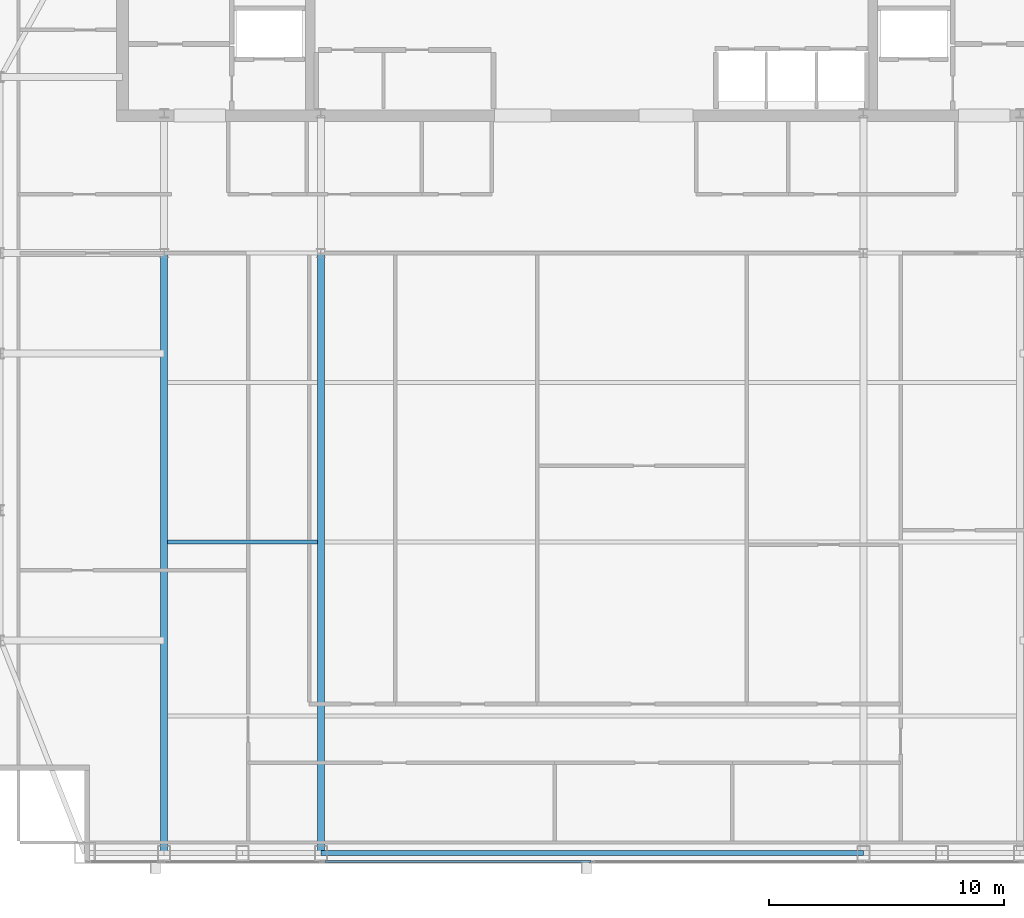
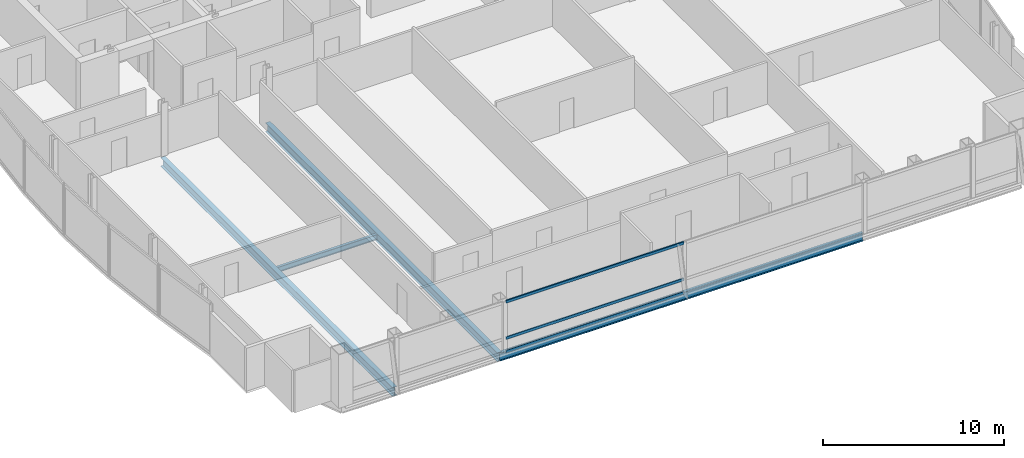
# One storey, part 6 of 26: 4 beams, 3 members, 1 element without a shape of its own.
"""IFC4 building model written with IfcOpenShell, lengths in metres."""

from ifc_helpers import new_model, si_unit, direction, frame, origin, origin_2d, place, context, subcontext, project, spatial, hollow_rectangle, i_section, extrude, material, material_profile, profile_set, type_object, element, aggregate, save


model = new_model("IFC4")

# Units and contexts
model_context = context("Model", 3, precision=1e-05, world=origin(), true_north=direction((0.0, 1.0)))
body_context = subcontext(model_context, "Body", "Model", "MODEL_VIEW")
ifc_project = project(units=[si_unit("LENGTHUNIT", "METRE"), si_unit("AREAUNIT", "SQUARE_METRE"), si_unit("VOLUMEUNIT", "CUBIC_METRE"), si_unit("PLANEANGLEUNIT", "RADIAN"), si_unit("MASSUNIT", "GRAM", prefix="KILO")], contexts=[model_context])

# Site, building, storey
site_placement = place(None, origin())
site = spatial("IfcSite", under=ifc_project, at=site_placement, CompositionType="ELEMENT")
building_placement = place(site_placement, origin())
building = spatial("IfcBuilding", under=site, at=building_placement, Name="Khoronbel Lancet Exchange", CompositionType="ELEMENT")
storey_placement = place(building_placement, frame((0.0, 0.0, 339.800048828125)))
storey = spatial("IfcBuildingStorey", under=building, at=storey_placement, Name="L88", CompositionType="ELEMENT", Elevation=339.800048828125)

# Beams
ifc_material_1 = material(Name="Steel S355", Category="steel")
ifc_material_profile_1 = material_profile(ifc_material_1, i_section(OverallWidth=0.300048828125, OverallDepth=0.60009765625, WebThickness=0.015380859375, FlangeThickness=0.030029296875, at=origin_2d()), Name="HEB 600")
ifc_profile_set_1 = profile_set([ifc_material_profile_1], Name="Steel S355")
beam_type_1 = type_object("IfcBeamType", Name="BM-BG5", PredefinedType="BEAM", material=ifc_profile_set_1)
for number, where, z_axis, x_axis, name in (
    (1, (18.22509765625, 10.14990234375, -0.4599609375), (0.0, 1.0, 0.0), (-1.0, 0.0, 0.0), "Level L88 south primary girder GS1"),
    (2, (24.89990234375, 10.14990234375, -0.4599609375), (0.0, 1.0, 0.0), (-1.0, 0.0, 0.0), "Level L88 south primary girder GS2"),
):
    element("IfcBeam", number, at=place(storey_placement, frame(where, z_axis=z_axis, x_axis=x_axis)), inside=storey, type_object=beam_type_1, Name=name, PredefinedType="BEAM", context=body_context, shape_type="SweptSolid", body=[
        extrude(i_section(OverallWidth=0.300048828125, OverallDepth=0.60009765625, WebThickness=0.015380859375, FlangeThickness=0.030029296875, at=origin_2d()), origin(), (0.0, 0.0, 1.0), 25.550048828125),
    ])
ifc_material_profile_2 = material_profile(ifc_material_1, i_section(OverallWidth=0.169921875, OverallDepth=0.360107421875, WebThickness=0.008056640625, FlangeThickness=0.0126953125, at=origin_2d()), Name="IPE 360")
ifc_profile_set_2 = profile_set([ifc_material_profile_2], Name="Steel S355")
beam_type_2 = type_object("IfcBeamType", Name="BM-BJ6", PredefinedType="JOIST", material=ifc_profile_set_2)
beam_1_placement = place(storey_placement, frame((18.375, 23.39990234375, -0.340087890625), z_axis=(1.0, 0.0, 0.0), x_axis=(0.0, 1.0, 0.0)))
element("IfcBeam", 3, at=beam_1_placement, inside=storey, type_object=beam_type_2, Name="Level L88 secondary composite joist J04", PredefinedType="JOIST", context=body_context, shape_type="SweptSolid", body=[
    extrude(i_section(OverallWidth=0.169921875, OverallDepth=0.360107421875, WebThickness=0.008056640625, FlangeThickness=0.0126953125, at=origin_2d()), origin(), (0.0, 0.0, 1.0), 6.375),
])
ifc_material_profile_3 = material_profile(ifc_material_1, i_section(OverallWidth=0.2099609375, OverallDepth=0.550048828125, WebThickness=0.010986328125, FlangeThickness=0.01708984375, at=origin_2d()), Name="IPE 550")
ifc_profile_set_3 = profile_set([ifc_material_profile_3], Name="Steel S355")
beam_type_3 = type_object("IfcBeamType", Name="BM-BSP3", PredefinedType="SPANDREL", material=ifc_profile_set_3)
beam_2_placement = place(storey_placement, frame((24.89990234375, 10.14990234375, -0.43505859375), z_axis=(1.0, 0.0, 0.0), x_axis=(0.0, 1.0, 0.0)))
element("IfcBeam", 4, at=beam_2_placement, inside=storey, type_object=beam_type_3, Name="Level L88 perimeter spandrel beam SP04", PredefinedType="SPANDREL", context=body_context, shape_type="SweptSolid", body=[
    extrude(i_section(OverallWidth=0.2099609375, OverallDepth=0.550048828125, WebThickness=0.010986328125, FlangeThickness=0.01708984375, at=origin_2d()), origin(), (0.0, 0.0, 1.0), 23.10009765625),
])

# Curtain wall, members
ifc_material_2 = material(Name="Low-E Solar Control Insulating Glass", Category="glass")
curtain_wall_type = type_object("IfcCurtainWallType", Name="CW-3", PredefinedType="NOTDEFINED", material=ifc_material_2)
curtain_wall_placement = place(storey_placement, origin())
curtain_wall = element("IfcCurtainWall", 5, at=curtain_wall_placement, inside=storey, type_object=curtain_wall_type, Name="Unitised curtain wall CW-L88-SCV", PredefinedType="NOTDEFINED")
ifc_material_3 = material(Name="Bronze-Anodised Aluminium 6063-T6", Category="aluminium")
ifc_material_profile_4 = material_profile(ifc_material_3, hollow_rectangle(XDim=0.0849609375, YDim=0.179931640625, WallThickness=0.0048828125, at=origin_2d()), Name="ALU TRANSOM 85x180")
ifc_profile_set_4 = profile_set([ifc_material_profile_4], Name="Bronze-Anodised Aluminium 6063-T6")
member_type = type_object("IfcMemberType", Name="MEM-CWT1", PredefinedType="USERDEFINED", material=ifc_profile_set_4)
member_1_placement = place(storey_placement, frame((25.0849609375, 9.7900390625, 0.04248046875), z_axis=(1.0, 0.0, 0.0), x_axis=(0.0, 1.0, 0.0)))
member_1 = element("IfcMember", 6, at=member_1_placement, type_object=member_type, Name="CW3 transom 1.1", ObjectType="TRANSOM", PredefinedType="USERDEFINED", context=body_context, shape_type="SweptSolid", body=[
    extrude(hollow_rectangle(XDim=0.0849609375, YDim=0.179931640625, WallThickness=0.0048828125, at=origin_2d()), origin(), (0.0, 0.0, 1.0), 11.322509765625),
])
member_2_placement = place(storey_placement, frame((25.0849609375, 9.7900390625, 0.949951171875), z_axis=(1.0, 0.0, 0.0), x_axis=(0.0, 1.0, 0.0)))
member_2 = element("IfcMember", 7, at=member_2_placement, type_object=member_type, Name="CW3 transom 1.2", ObjectType="TRANSOM", PredefinedType="USERDEFINED", context=body_context, shape_type="SweptSolid", body=[
    extrude(hollow_rectangle(XDim=0.0849609375, YDim=0.179931640625, WallThickness=0.0048828125, at=origin_2d()), origin(), (0.0, 0.0, 1.0), 11.322509765625),
])
member_3_placement = place(storey_placement, frame((25.0849609375, 9.7900390625, 3.3974609375), z_axis=(1.0, 0.0, 0.0), x_axis=(0.0, 1.0, 0.0)))
member_3 = element("IfcMember", 8, at=member_3_placement, type_object=member_type, Name="CW3 transom 1.3", ObjectType="TRANSOM", PredefinedType="USERDEFINED", context=body_context, shape_type="SweptSolid", body=[
    extrude(hollow_rectangle(XDim=0.0849609375, YDim=0.179931640625, WallThickness=0.0048828125, at=origin_2d()), origin(), (0.0, 0.0, 1.0), 11.322509765625),
])
aggregate(curtain_wall, [member_1, member_2, member_3])

save(model, "model.ifc")
